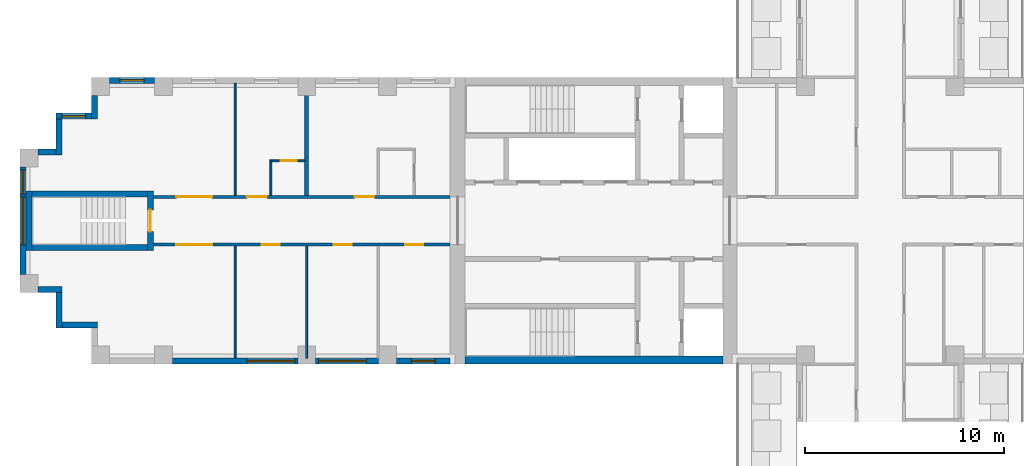
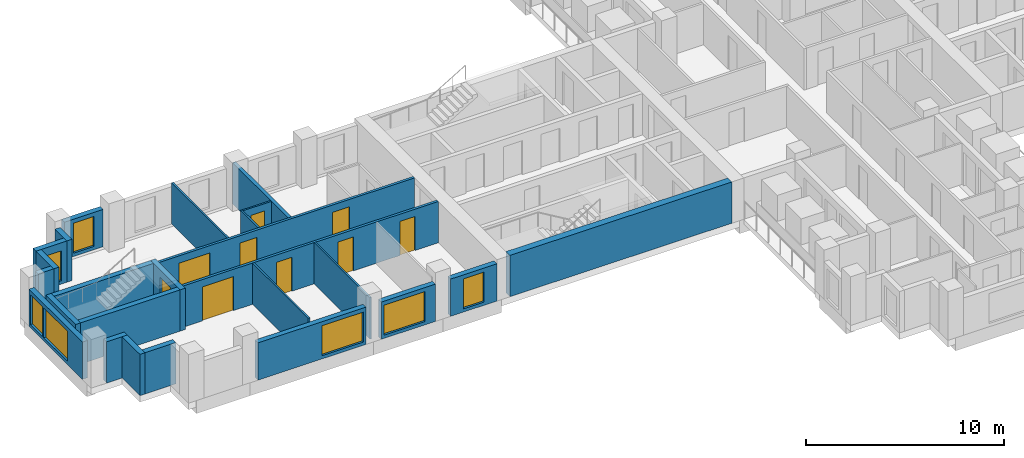
# One storey, part 2 of 10: 25 walls, 9 doors, 7 windows, 16 openings.
"""IFC4 building model written with IfcOpenShell, lengths in metres."""

from ifc_helpers import new_model, si_unit, direction, frame, frame_2d, origin, place, context, subcontext, project, spatial, rectangle, extrude, material, layer, layer_set, type_object, element, fill, save


model = new_model("IFC4")

# Units and contexts
model_context = context("Model", 3, precision=1e-05, world=origin(), true_north=direction((0.0, 1.0)))
body_context = subcontext(model_context, "Body", "Model", "MODEL_VIEW")
ifc_project = project(units=[si_unit("LENGTHUNIT", "METRE"), si_unit("AREAUNIT", "SQUARE_METRE"), si_unit("VOLUMEUNIT", "CUBIC_METRE"), si_unit("PLANEANGLEUNIT", "RADIAN"), si_unit("MASSUNIT", "GRAM", prefix="KILO")], contexts=[model_context])

# Site, building, storey
site_placement = place(None, origin())
site = spatial("IfcSite", under=ifc_project, at=site_placement, CompositionType="ELEMENT")
building_placement = place(site_placement, origin())
building = spatial("IfcBuilding", under=site, at=building_placement, Name="Fustian Cross Tower", CompositionType="ELEMENT")
storey_placement = place(building_placement, frame((0.0, 0.0, 191.699951171875)))
storey = spatial("IfcBuildingStorey", under=building, at=storey_placement, Name="L60", CompositionType="ELEMENT", Elevation=191.699951171875)

# Wall, openings, doors
ifc_material_1 = material(Name="Plasterboard on steel stud", Category="steel")
ifc_layer_1 = layer(ifc_material_1, 0.14990234375)
ifc_layer_set_1 = layer_set([ifc_layer_1], Name="Plasterboard on steel stud")
wall_type_1 = type_object("IfcWallType", Name="COMPARTMENT WALL 150 EI 60", PredefinedType="PARTITIONING", material=ifc_layer_set_1)
wall_1_placement = place(storey_placement, frame((-36.5, -1.199951171875, 0.0), z_axis=(0.0, 0.0, 1.0), x_axis=(1.0, 0.0, 0.0)))
wall_1 = element("IfcWall", 1, at=wall_1_placement, inside=storey, type_object=wall_type_1, Name="Partition 1", PredefinedType="PARTITIONING", context=body_context, shape_type="SweptSolid", body=[
    extrude(rectangle(XDim=14.89990234375, YDim=0.14990234375, at=frame_2d((7.449951171875, 0.0))), origin(), (0.0, 0.0, 1.0), 2.550048828125),
])
opening_1_placement = place(wall_1_placement, frame((12.64990234375, 0.0, 0.0)))
opening_1 = element("IfcOpeningElement", 2, at=opening_1_placement, cuts=wall_1, Name="Opening D27023", PredefinedType="OPENING", context=body_context, shape_type="SweptSolid", body=[
    extrude(rectangle(XDim=0.89990234375, YDim=2.10009765625, at=frame_2d((0.449951171875, 1.050048828125))), frame((0.0, 0.0849609375, 0.0), z_axis=(0.0, -1.0, 0.0), x_axis=(1.0, 0.0, 0.0)), (0.0, 0.0, 1.0), 0.169921875),
])
opening_2_placement = place(wall_1_placement, frame((9.050048828125, 0.0, 0.0)))
opening_2 = element("IfcOpeningElement", 3, at=opening_2_placement, cuts=wall_1, Name="Opening D27024", PredefinedType="OPENING", context=body_context, shape_type="SweptSolid", body=[
    extrude(rectangle(XDim=0.89990234375, YDim=2.10009765625, at=frame_2d((0.449951171875, 1.050048828125))), frame((0.0, 0.0849609375, 0.0), z_axis=(0.0, -1.0, 0.0), x_axis=(1.0, 0.0, 0.0)), (0.0, 0.0, 1.0), 0.169921875),
])
opening_3_placement = place(wall_1_placement, frame((5.449951171875, 0.0, 0.0)))
opening_3 = element("IfcOpeningElement", 4, at=opening_3_placement, cuts=wall_1, Name="Opening D27025", PredefinedType="OPENING", context=body_context, shape_type="SweptSolid", body=[
    extrude(rectangle(XDim=0.89990234375, YDim=2.10009765625, at=frame_2d((0.449951171875, 1.050048828125))), frame((0.0, 0.0849609375, 0.0), z_axis=(0.0, -1.0, 0.0), x_axis=(1.0, 0.0, 0.0)), (0.0, 0.0, 1.0), 0.169921875),
])
opening_4_placement = place(wall_1_placement, frame((1.14990234375, 0.0, 0.0)))
opening_4 = element("IfcOpeningElement", 5, at=opening_4_placement, cuts=wall_1, Name="Opening D27026", PredefinedType="OPENING", context=body_context, shape_type="SweptSolid", body=[
    extrude(rectangle(XDim=1.800048828125, YDim=2.10009765625, at=frame_2d((0.89990234375, 1.050048828125))), frame((0.0, 0.0849609375, 0.0), z_axis=(0.0, -1.0, 0.0), x_axis=(1.0, 0.0, 0.0)), (0.0, 0.0, 1.0), 0.169921875),
])
ifc_material_2 = material(Name="Timber fire door set", Category="wood")
door_type_1 = type_object("IfcDoorType", Name="FIRE DOUBLE DOOR 1800 FD30S", OperationType="DOUBLE_DOOR_DOUBLE_SWING", PredefinedType="DOOR", material=ifc_material_2)
door_1_placement = place(opening_4_placement, origin())
door_1 = element("IfcDoor", 6, at=door_1_placement, inside=storey, type_object=door_type_1, Name="Door D27026", OperationType="DOUBLE_DOOR_DOUBLE_SWING", OverallHeight=2.10009765625, OverallWidth=1.800048828125, PredefinedType="DOOR", context=body_context, shape_type="SweptSolid", body=[
    extrude(rectangle(XDim=1.800048828125, YDim=2.10009765625, at=frame_2d((0.89990234375, 1.050048828125))), frame((0.0, 0.02490234375, 0.0), z_axis=(0.0, -1.0, 0.0), x_axis=(1.0, 0.0, 0.0)), (0.0, 0.0, 1.0), 0.050048828125),
])
fill(opening_4, door_1)
ifc_material_3 = material(Name="Timber fire door set", Category="wood")
door_type_2 = type_object("IfcDoorType", Name="FIRE SWING DOOR 900 FD30S", OperationType="SINGLE_SWING_LEFT", PredefinedType="DOOR", material=ifc_material_3)
door_2_placement = place(opening_1_placement, frame((0.89990234375, 0.0, 0.0), z_axis=(0.0, 0.0, 1.0), x_axis=(-1.0, 0.0, 0.0)))
door_2 = element("IfcDoor", 7, at=door_2_placement, inside=storey, type_object=door_type_2, Name="Door D27023", OperationType="SINGLE_SWING_RIGHT", OverallHeight=2.10009765625, OverallWidth=0.89990234375, PredefinedType="DOOR", context=body_context, shape_type="SweptSolid", body=[
    extrude(rectangle(XDim=0.89990234375, YDim=2.10009765625, at=frame_2d((0.449951171875, 1.050048828125))), frame((0.0, 0.02490234375, 0.0), z_axis=(0.0, -1.0, 0.0), x_axis=(1.0, 0.0, 0.0)), (0.0, 0.0, 1.0), 0.050048828125),
])
fill(opening_1, door_2)
door_3_placement = place(opening_2_placement, frame((0.89990234375, 0.0, 0.0), z_axis=(0.0, 0.0, 1.0), x_axis=(-1.0, 0.0, 0.0)))
door_3 = element("IfcDoor", 8, at=door_3_placement, inside=storey, type_object=door_type_2, Name="Door D27024", OperationType="SINGLE_SWING_RIGHT", OverallHeight=2.10009765625, OverallWidth=0.89990234375, PredefinedType="DOOR", context=body_context, shape_type="SweptSolid", body=[
    extrude(rectangle(XDim=0.89990234375, YDim=2.10009765625, at=frame_2d((0.449951171875, 1.050048828125))), frame((0.0, 0.02490234375, 0.0), z_axis=(0.0, -1.0, 0.0), x_axis=(1.0, 0.0, 0.0)), (0.0, 0.0, 1.0), 0.050048828125),
])
fill(opening_2, door_3)
door_4_placement = place(opening_3_placement, frame((0.89990234375, 0.0, 0.0), z_axis=(0.0, 0.0, 1.0), x_axis=(-1.0, 0.0, 0.0)))
door_4 = element("IfcDoor", 9, at=door_4_placement, inside=storey, type_object=door_type_2, Name="Door D27025", OperationType="SINGLE_SWING_RIGHT", OverallHeight=2.10009765625, OverallWidth=0.89990234375, PredefinedType="DOOR", context=body_context, shape_type="SweptSolid", body=[
    extrude(rectangle(XDim=0.89990234375, YDim=2.10009765625, at=frame_2d((0.449951171875, 1.050048828125))), frame((0.0, 0.02490234375, 0.0), z_axis=(0.0, -1.0, 0.0), x_axis=(1.0, 0.0, 0.0)), (0.0, 0.0, 1.0), 0.050048828125),
])
fill(opening_3, door_4)

wall_2_placement = place(storey_placement, frame((-36.5, 1.199951171875, 0.0), z_axis=(0.0, 0.0, 1.0), x_axis=(1.0, 0.0, 0.0)))
wall_2 = element("IfcWall", 10, at=wall_2_placement, inside=storey, type_object=wall_type_1, Name="Partition 2", PredefinedType="PARTITIONING", context=body_context, shape_type="SweptSolid", body=[
    extrude(rectangle(XDim=14.89990234375, YDim=0.14990234375, at=frame_2d((7.449951171875, 0.0))), origin(), (0.0, 0.0, 1.0), 2.550048828125),
])
opening_5_placement = place(wall_2_placement, frame((10.10009765625, 0.0, 0.0)))
opening_5 = element("IfcOpeningElement", 11, at=opening_5_placement, cuts=wall_2, Name="Opening D27028", PredefinedType="OPENING", context=body_context, shape_type="SweptSolid", body=[
    extrude(rectangle(XDim=1.0, YDim=2.10009765625, at=frame_2d((0.5, 1.050048828125))), frame((0.0, 0.0849609375, 0.0), z_axis=(0.0, -1.0, 0.0), x_axis=(1.0, 0.0, 0.0)), (0.0, 0.0, 1.0), 0.169921875),
])
opening_6_placement = place(wall_2_placement, frame((4.699951171875, 0.0, 0.0)))
opening_6 = element("IfcOpeningElement", 12, at=opening_6_placement, cuts=wall_2, Name="Opening D27030", PredefinedType="OPENING", context=body_context, shape_type="SweptSolid", body=[
    extrude(rectangle(XDim=1.0, YDim=2.10009765625, at=frame_2d((0.5, 1.050048828125))), frame((0.0, 0.0849609375, 0.0), z_axis=(0.0, -1.0, 0.0), x_axis=(1.0, 0.0, 0.0)), (0.0, 0.0, 1.0), 0.169921875),
])
opening_7_placement = place(wall_2_placement, frame((1.14990234375, 0.0, 0.0)))
opening_7 = element("IfcOpeningElement", 13, at=opening_7_placement, cuts=wall_2, Name="Opening D27031", PredefinedType="OPENING", context=body_context, shape_type="SweptSolid", body=[
    extrude(rectangle(XDim=1.800048828125, YDim=2.10009765625, at=frame_2d((0.89990234375, 1.050048828125))), frame((0.0, 0.0849609375, 0.0), z_axis=(0.0, -1.0, 0.0), x_axis=(1.0, 0.0, 0.0)), (0.0, 0.0, 1.0), 0.169921875),
])
door_5_placement = place(opening_7_placement, frame((1.800048828125, 0.0, 0.0), z_axis=(0.0, 0.0, 1.0), x_axis=(-1.0, 0.0, 0.0)))
door_5 = element("IfcDoor", 14, at=door_5_placement, inside=storey, type_object=door_type_1, Name="Door D27031", OperationType="DOUBLE_DOOR_DOUBLE_SWING", OverallHeight=2.10009765625, OverallWidth=1.800048828125, PredefinedType="DOOR", context=body_context, shape_type="SweptSolid", body=[
    extrude(rectangle(XDim=1.800048828125, YDim=2.10009765625, at=frame_2d((0.89990234375, 1.050048828125))), frame((0.0, 0.02490234375, 0.0), z_axis=(0.0, -1.0, 0.0), x_axis=(1.0, 0.0, 0.0)), (0.0, 0.0, 1.0), 0.050048828125),
])
fill(opening_7, door_5)
ifc_material_4 = material(Name="Timber fire door set", Category="wood")
door_type_3 = type_object("IfcDoorType", Name="FIRE SWING DOOR 1000 FD30S", OperationType="SINGLE_SWING_LEFT", PredefinedType="DOOR", material=ifc_material_4)
door_6_placement = place(opening_5_placement, origin())
door_6 = element("IfcDoor", 15, at=door_6_placement, inside=storey, type_object=door_type_3, Name="Door D27028", OperationType="SINGLE_SWING_RIGHT", OverallHeight=2.10009765625, OverallWidth=1.0, PredefinedType="DOOR", context=body_context, shape_type="SweptSolid", body=[
    extrude(rectangle(XDim=1.0, YDim=2.10009765625, at=frame_2d((0.5, 1.050048828125))), frame((0.0, 0.02490234375, 0.0), z_axis=(0.0, -1.0, 0.0), x_axis=(1.0, 0.0, 0.0)), (0.0, 0.0, 1.0), 0.050048828125),
])
fill(opening_5, door_6)
door_7_placement = place(opening_6_placement, origin())
door_7 = element("IfcDoor", 16, at=door_7_placement, inside=storey, type_object=door_type_3, Name="Door D27030", OperationType="SINGLE_SWING_RIGHT", OverallHeight=2.10009765625, OverallWidth=1.0, PredefinedType="DOOR", context=body_context, shape_type="SweptSolid", body=[
    extrude(rectangle(XDim=1.0, YDim=2.10009765625, at=frame_2d((0.5, 1.050048828125))), frame((0.0, 0.02490234375, 0.0), z_axis=(0.0, -1.0, 0.0), x_axis=(1.0, 0.0, 0.0)), (0.0, 0.0, 1.0), 0.050048828125),
])
fill(opening_6, door_7)

# Walls
ifc_material_5 = material(Name="Concrete C50/60", Category="concrete")
ifc_layer_2 = layer(ifc_material_5, 0.39990234375)
ifc_layer_set_2 = layer_set([ifc_layer_2], Name="Concrete C50/60")
wall_type_2 = type_object("IfcWallType", Name="CORE FACADE WALL 400 C50/60", PredefinedType="SHEAR", material=ifc_layer_set_2)
wall_3_placement = place(storey_placement, frame((-7.89990234375, -7.0, 0.0), z_axis=(0.0, 0.0, 1.0), x_axis=(-1.0, 0.0, 0.0)))
element("IfcWall", 17, at=wall_3_placement, inside=storey, type_object=wall_type_2, Name="Core facade wall", PredefinedType="SHEAR", context=body_context, shape_type="SweptSolid", body=[
    extrude(rectangle(XDim=12.9501953125, YDim=0.39990234375, at=frame_2d((6.47509765625, 0.0))), origin(), (0.0, 0.0, 1.0), 2.550048828125),
])
ifc_material_6 = material(Name="Plasterboard on steel stud", Category="steel")
ifc_layer_3 = layer(ifc_material_6, 0.10009765625)
ifc_layer_set_3 = layer_set([ifc_layer_3], Name="Plasterboard on steel stud")
wall_type_3 = type_object("IfcWallType", Name="PARTITION 100 STUD", PredefinedType="PARTITIONING", material=ifc_layer_set_3)
for number, where, z_axis, x_axis, name in (
    (18, (-32.39990234375, -6.89990234375, 0.0), (0.0, 0.0, 1.0), (0.0, 1.0, 0.0), "Partition 3"),
    (19, (-32.39990234375, 1.27490234375, 0.0), (0.0, 0.0, 1.0), (0.0, 1.0, 0.0), "Partition 4"),
):
    element("IfcWall", number, at=place(storey_placement, frame(where, z_axis=z_axis, x_axis=x_axis)), inside=storey, type_object=wall_type_3, Name=name, PredefinedType="PARTITIONING", context=body_context, shape_type="SweptSolid", body=[
        extrude(rectangle(XDim=5.625, YDim=0.10009765625, at=frame_2d((2.8125, 0.0))), origin(), (0.0, 0.0, 1.0), 2.550048828125),
    ])
wall_4_placement = place(storey_placement, frame((-30.60009765625, 1.27490234375, 0.0), z_axis=(0.0, 0.0, 1.0), x_axis=(0.0, 1.0, 0.0)))
element("IfcWall", 20, at=wall_4_placement, inside=storey, type_object=wall_type_3, Name="Partition 5", PredefinedType="PARTITIONING", context=body_context, shape_type="SweptSolid", body=[
    extrude(rectangle(XDim=1.775146484375, YDim=0.10009765625, at=frame_2d((0.8876953125, 0.0))), origin(), (0.0, 0.0, 1.0), 2.550048828125),
])

# Wall, opening, door
wall_5_placement = place(storey_placement, frame((-30.550048828125, 3.0, 0.0), z_axis=(0.0, 0.0, 1.0), x_axis=(1.0, 0.0, 0.0)))
wall_5 = element("IfcWall", 21, at=wall_5_placement, inside=storey, type_object=wall_type_3, Name="Partition 6", PredefinedType="PARTITIONING", context=body_context, shape_type="SweptSolid", body=[
    extrude(rectangle(XDim=1.650146484375, YDim=0.10009765625, at=frame_2d((0.8251953125, 0.0))), origin(), (0.0, 0.0, 1.0), 2.550048828125),
])
opening_8_placement = place(wall_5_placement, frame((0.449951171875, 0.0, 0.0)))
opening_8 = element("IfcOpeningElement", 22, at=opening_8_placement, cuts=wall_5, Name="Opening D27029", PredefinedType="OPENING", context=body_context, shape_type="SweptSolid", body=[
    extrude(rectangle(XDim=0.800048828125, YDim=2.10009765625, at=frame_2d((0.39990234375, 1.050048828125))), frame((0.0, 0.06005859375, 0.0), z_axis=(0.0, -1.0, 0.0), x_axis=(1.0, 0.0, 0.0)), (0.0, 0.0, 1.0), 0.1201171875),
])
ifc_material_7 = material(Name="Painted timber", Category="wood")
door_type_4 = type_object("IfcDoorType", Name="SWING DOOR 800", OperationType="SINGLE_SWING_LEFT", PredefinedType="DOOR", material=ifc_material_7)
door_8_placement = place(opening_8_placement, frame((0.800048828125, 0.0, 0.0), z_axis=(0.0, 0.0, 1.0), x_axis=(-1.0, 0.0, 0.0)))
door_8 = element("IfcDoor", 23, at=door_8_placement, inside=storey, type_object=door_type_4, Name="Door D27029", OperationType="SINGLE_SWING_LEFT", OverallHeight=2.10009765625, OverallWidth=0.800048828125, PredefinedType="DOOR", context=body_context, shape_type="SweptSolid", body=[
    extrude(rectangle(XDim=0.800048828125, YDim=2.10009765625, at=frame_2d((0.39990234375, 1.050048828125))), frame((0.0, 0.02490234375, 0.0), z_axis=(0.0, -1.0, 0.0), x_axis=(1.0, 0.0, 0.0)), (0.0, 0.0, 1.0), 0.050048828125),
])
fill(opening_8, door_8)

# Walls
wall_6_placement = place(storey_placement, frame((-28.800048828125, -6.89990234375, 0.0), z_axis=(0.0, 0.0, 1.0), x_axis=(0.0, 1.0, 0.0)))
element("IfcWall", 24, at=wall_6_placement, inside=storey, type_object=wall_type_3, Name="Partition 7", PredefinedType="PARTITIONING", context=body_context, shape_type="SweptSolid", body=[
    extrude(rectangle(XDim=5.625, YDim=0.10009765625, at=frame_2d((2.8125, 0.0))), origin(), (0.0, 0.0, 1.0), 2.550048828125),
])
ifc_material_8 = material(Name="Plasterboard on steel stud", Category="steel")
ifc_layer_4 = layer(ifc_material_8, 0.199951171875)
ifc_layer_set_4 = layer_set([ifc_layer_4], Name="Plasterboard on steel stud")
wall_type_4 = type_object("IfcWallType", Name="PARTY WALL 200 EI 60", PredefinedType="PARTITIONING", material=ifc_layer_set_4)
wall_7_placement = place(storey_placement, frame((-28.800048828125, 1.27490234375, 0.0), z_axis=(0.0, 0.0, 1.0), x_axis=(0.0, 1.0, 0.0)))
element("IfcWall", 25, at=wall_7_placement, inside=storey, type_object=wall_type_4, Name="Partition 8", PredefinedType="PARTITIONING", context=body_context, shape_type="SweptSolid", body=[
    extrude(rectangle(XDim=5.625, YDim=0.199951171875, at=frame_2d((2.8125, 0.0))), origin(), (0.0, 0.0, 1.0), 2.550048828125),
])

# Wall, opening, door
ifc_material_9 = material(Name="Concrete C50/60", Category="concrete")
ifc_layer_5 = layer(ifc_material_9, 0.300048828125)
ifc_layer_set_5 = layer_set([ifc_layer_5], Name="Concrete C50/60")
wall_type_5 = type_object("IfcWallType", Name="STAIR ENCLOSURE WALL 300 C50/60", PredefinedType="SHEAR", material=ifc_layer_set_5)
wall_8_placement = place(storey_placement, frame((-36.64990234375, -1.5, 0.0), z_axis=(0.0, 0.0, 1.0), x_axis=(0.0, 1.0, 0.0)))
wall_8 = element("IfcWall", 26, at=wall_8_placement, inside=storey, type_object=wall_type_5, Name="Stair enclosure wall", PredefinedType="SHEAR", context=body_context, shape_type="SweptSolid", body=[
    extrude(rectangle(XDim=3.0, YDim=0.300048828125, at=frame_2d((1.5, 0.0))), origin(), (0.0, 0.0, 1.0), 2.550048828125),
])
opening_9_placement = place(wall_8_placement, frame((0.949951171875, 0.0, 0.0)))
opening_9 = element("IfcOpeningElement", 27, at=opening_9_placement, cuts=wall_8, Name="Opening CD-25-31", PredefinedType="OPENING", context=body_context, shape_type="SweptSolid", body=[
    extrude(rectangle(XDim=1.10009765625, YDim=2.10009765625, at=frame_2d((0.550048828125, 1.050048828125))), frame((0.0, 0.159912109375, 0.0), z_axis=(0.0, -1.0, 0.0), x_axis=(1.0, 0.0, 0.0)), (0.0, 0.0, 1.0), 0.320068359375),
])
ifc_material_10 = material(Name="Steel", Category="steel")
door_type_5 = type_object("IfcDoorType", Name="FIRE DOOR FD60S 1100X2100", OperationType="SINGLE_SWING_LEFT", PredefinedType="DOOR", material=ifc_material_10)
door_9_placement = place(opening_9_placement, origin())
door_9 = element("IfcDoor", 28, at=door_9_placement, inside=storey, type_object=door_type_5, Name="Core door CD-25-31", OperationType="SINGLE_SWING_LEFT", OverallHeight=2.10009765625, OverallWidth=1.10009765625, PredefinedType="DOOR", context=body_context, shape_type="SweptSolid", body=[
    extrude(rectangle(XDim=1.10009765625, YDim=2.10009765625, at=frame_2d((0.550048828125, 1.050048828125))), frame((0.0, 0.02490234375, 0.0), z_axis=(0.0, -1.0, 0.0), x_axis=(1.0, 0.0, 0.0)), (0.0, 0.0, 1.0), 0.050048828125),
])
fill(opening_9, door_9)

# Walls
wall_9_placement = place(storey_placement, frame((-42.75, -1.5, 0.0), z_axis=(0.0, 0.0, 1.0), x_axis=(0.0, 1.0, 0.0)))
element("IfcWall", 29, at=wall_9_placement, inside=storey, type_object=wall_type_5, Name="Stair enclosure wall", PredefinedType="SHEAR", context=body_context, shape_type="SweptSolid", body=[
    extrude(rectangle(XDim=3.0, YDim=0.300048828125, at=frame_2d((1.5, 0.0))), origin(), (0.0, 0.0, 1.0), 2.550048828125),
])
for number, where, z_axis, x_axis, name in (
    (30, (-36.800048828125, -1.35009765625, 0.0), (0.0, 0.0, 1.0), (-1.0, 0.0, 0.0), "Stair enclosure wall"),
    (31, (-36.800048828125, 1.35009765625, 0.0), (0.0, 0.0, 1.0), (-1.0, 0.0, 0.0), "Stair enclosure wall"),
):
    element("IfcWall", number, at=place(storey_placement, frame(where, z_axis=z_axis, x_axis=x_axis)), inside=storey, type_object=wall_type_5, Name=name, PredefinedType="SHEAR", context=body_context, shape_type="SweptSolid", body=[
        extrude(rectangle(XDim=5.800048828125, YDim=0.300048828125, at=frame_2d((2.89990234375, 0.0))), origin(), (0.0, 0.0, 1.0), 2.550048828125),
    ])

# Wall, opening, window
ifc_material_11 = material(Name="Dark aluminium cladding on insulated backing wall", Category="aluminium")
ifc_layer_6 = layer(ifc_material_11, 0.300048828125)
ifc_layer_set_6 = layer_set([ifc_layer_6], Name="Dark aluminium cladding on insulated backing wall")
wall_type_6 = type_object("IfcWallType", Name="XW1 EXTERNAL WALL 300", PredefinedType="SOLIDWALL", material=ifc_layer_set_6)
wall_10_placement = place(storey_placement, frame((-36.449951171875, 7.050048828125, 0.0), z_axis=(0.0, 0.0, 1.0), x_axis=(-1.0, 0.0, 0.0)))
wall_10 = element("IfcWall", 32, at=wall_10_placement, inside=storey, type_object=wall_type_6, Name="External wall", PredefinedType="SOLIDWALL", context=body_context, shape_type="SweptSolid", body=[
    extrude(rectangle(XDim=2.25, YDim=0.300048828125, at=frame_2d((1.125, 0.0))), origin(), (0.0, 0.0, 1.0), 2.300048828125),
])
opening_10_placement = place(wall_10_placement, frame((0.52490234375, 0.0, 0.199951171875)))
opening_10 = element("IfcOpeningElement", 33, at=opening_10_placement, cuts=wall_10, Name="Opening WN3", PredefinedType="OPENING", context=body_context, shape_type="SweptSolid", body=[
    extrude(rectangle(XDim=1.199951171875, YDim=1.85009765625, at=frame_2d((0.60009765625, 0.925048828125))), frame((0.0, 0.159912109375, 0.0), z_axis=(0.0, -1.0, 0.0), x_axis=(1.0, 0.0, 0.0)), (0.0, 0.0, 1.0), 0.320068359375),
])
ifc_material_12 = material(Name="Dark anodised aluminium and double glazing", Category="aluminium")
window_type_1 = type_object("IfcWindowType", Name="WN3 WINDOW 1200X1850", PartitioningType="SINGLE_PANEL", PredefinedType="WINDOW", material=ifc_material_12)
window_1_placement = place(opening_10_placement, origin())
window_1 = element("IfcWindow", 34, at=window_1_placement, inside=storey, type_object=window_type_1, Name="Window", OverallHeight=1.85009765625, OverallWidth=1.199951171875, PartitioningType="SINGLE_PANEL", PredefinedType="WINDOW", context=body_context, shape_type="SweptSolid", body=[
    extrude(rectangle(XDim=1.199951171875, YDim=1.85009765625, at=frame_2d((0.60009765625, 0.925048828125))), frame((0.0, 0.030029296875, 0.0), z_axis=(0.0, -1.0, 0.0), x_axis=(1.0, 0.0, 0.0)), (0.0, 0.0, 1.0), 0.06005859375),
])
fill(opening_10, window_1)

# Wall
wall_11_placement = place(storey_placement, frame((-39.449951171875, 6.300048828125, 0.0), z_axis=(0.0, 0.0, 1.0), x_axis=(0.0, -1.0, 0.0)))
element("IfcWall", 35, at=wall_11_placement, inside=storey, type_object=wall_type_6, Name="External wall", PredefinedType="SOLIDWALL", context=body_context, shape_type="SweptSolid", body=[
    extrude(rectangle(XDim=1.199951171875, YDim=0.300048828125, at=frame_2d((0.60009765625, 0.0))), origin(), (0.0, 0.0, 1.0), 2.550048828125),
])

# Wall, opening, window
wall_12_placement = place(storey_placement, frame((-39.60009765625, 5.25, 0.0), z_axis=(0.0, 0.0, 1.0), x_axis=(-1.0, 0.0, 0.0)))
wall_12 = element("IfcWall", 36, at=wall_12_placement, inside=storey, type_object=wall_type_6, Name="External wall", PredefinedType="SOLIDWALL", context=body_context, shape_type="SweptSolid", body=[
    extrude(rectangle(XDim=1.7998046875, YDim=0.300048828125, at=frame_2d((0.89990234375, 0.0))), origin(), (0.0, 0.0, 1.0), 2.550048828125),
])
opening_11_placement = place(wall_12_placement, frame((0.300048828125, 0.0, 0.199951171875)))
opening_11 = element("IfcOpeningElement", 37, at=opening_11_placement, cuts=wall_12, Name="Opening WN3", PredefinedType="OPENING", context=body_context, shape_type="SweptSolid", body=[
    extrude(rectangle(XDim=1.199951171875, YDim=1.85009765625, at=frame_2d((0.60009765625, 0.925048828125))), frame((0.0, 0.159912109375, 0.0), z_axis=(0.0, -1.0, 0.0), x_axis=(1.0, 0.0, 0.0)), (0.0, 0.0, 1.0), 0.320068359375),
])
window_2_placement = place(opening_11_placement, origin())
window_2 = element("IfcWindow", 38, at=window_2_placement, inside=storey, type_object=window_type_1, Name="Window", OverallHeight=1.85009765625, OverallWidth=1.199951171875, PartitioningType="SINGLE_PANEL", PredefinedType="WINDOW", context=body_context, shape_type="SweptSolid", body=[
    extrude(rectangle(XDim=1.199951171875, YDim=1.85009765625, at=frame_2d((0.60009765625, 0.925048828125))), frame((0.0, 0.030029296875, 0.0), z_axis=(0.0, -1.0, 0.0), x_axis=(1.0, 0.0, 0.0)), (0.0, 0.0, 1.0), 0.06005859375),
])
fill(opening_11, window_2)

# Walls
wall_13_placement = place(storey_placement, frame((-41.25, 5.10009765625, 0.0), z_axis=(0.0, 0.0, 1.0), x_axis=(0.0, -1.0, 0.0)))
element("IfcWall", 39, at=wall_13_placement, inside=storey, type_object=wall_type_6, Name="External wall", PredefinedType="SOLIDWALL", context=body_context, shape_type="SweptSolid", body=[
    extrude(rectangle(XDim=1.800048828125, YDim=0.300048828125, at=frame_2d((0.89990234375, 0.0))), origin(), (0.0, 0.0, 1.0), 2.550048828125),
])
wall_14_placement = place(storey_placement, frame((-41.39990234375, 3.449951171875, 0.0), z_axis=(0.0, 0.0, 1.0), x_axis=(-1.0, 0.0, 0.0)))
element("IfcWall", 40, at=wall_14_placement, inside=storey, type_object=wall_type_6, Name="External wall", PredefinedType="SOLIDWALL", context=body_context, shape_type="SweptSolid", body=[
    extrude(rectangle(XDim=0.900146484375, YDim=0.300048828125, at=frame_2d((0.4501953125, 0.0))), origin(), (0.0, 0.0, 1.0), 2.550048828125),
])

# Wall, openings, windows
wall_15_placement = place(storey_placement, frame((-43.050048828125, 2.699951171875, 0.0), z_axis=(0.0, 0.0, 1.0), x_axis=(0.0, -1.0, 0.0)))
wall_15 = element("IfcWall", 41, at=wall_15_placement, inside=storey, type_object=wall_type_6, Name="External wall", PredefinedType="SOLIDWALL", context=body_context, shape_type="SweptSolid", body=[
    extrude(rectangle(XDim=5.39990234375, YDim=0.300048828125, at=frame_2d((2.699951171875, 0.0))), origin(), (0.0, 0.0, 1.0), 2.300048828125),
])
opening_12_placement = place(wall_15_placement, frame((1.5, 0.0, 0.199951171875)))
opening_12 = element("IfcOpeningElement", 42, at=opening_12_placement, cuts=wall_15, Name="Opening WN1", PredefinedType="OPENING", context=body_context, shape_type="SweptSolid", body=[
    extrude(rectangle(XDim=2.39990234375, YDim=1.85009765625, at=frame_2d((1.199951171875, 0.925048828125))), frame((0.0, 0.159912109375, 0.0), z_axis=(0.0, -1.0, 0.0), x_axis=(1.0, 0.0, 0.0)), (0.0, 0.0, 1.0), 0.320068359375),
])
opening_13_placement = place(wall_15_placement, frame((0.14990234375, 0.0, 0.199951171875)))
opening_13 = element("IfcOpeningElement", 43, at=opening_13_placement, cuts=wall_15, Name="Opening WN3", PredefinedType="OPENING", context=body_context, shape_type="SweptSolid", body=[
    extrude(rectangle(XDim=1.199951171875, YDim=1.85009765625, at=frame_2d((0.60009765625, 0.925048828125))), frame((0.0, 0.159912109375, 0.0), z_axis=(0.0, -1.0, 0.0), x_axis=(1.0, 0.0, 0.0)), (0.0, 0.0, 1.0), 0.320068359375),
])
ifc_material_13 = material(Name="Dark anodised aluminium and double glazing", Category="aluminium")
window_type_2 = type_object("IfcWindowType", Name="WN1 WINDOW 2400X1850", PartitioningType="SINGLE_PANEL", PredefinedType="WINDOW", material=ifc_material_13)
window_3_placement = place(opening_12_placement, origin())
window_3 = element("IfcWindow", 44, at=window_3_placement, inside=storey, type_object=window_type_2, Name="Window", OverallHeight=1.85009765625, OverallWidth=2.39990234375, PartitioningType="SINGLE_PANEL", PredefinedType="WINDOW", context=body_context, shape_type="SweptSolid", body=[
    extrude(rectangle(XDim=2.39990234375, YDim=1.85009765625, at=frame_2d((1.199951171875, 0.925048828125))), frame((0.0, 0.030029296875, 0.0), z_axis=(0.0, -1.0, 0.0), x_axis=(1.0, 0.0, 0.0)), (0.0, 0.0, 1.0), 0.06005859375),
])
fill(opening_12, window_3)
window_4_placement = place(opening_13_placement, origin())
window_4 = element("IfcWindow", 45, at=window_4_placement, inside=storey, type_object=window_type_1, Name="Window", OverallHeight=1.85009765625, OverallWidth=1.199951171875, PartitioningType="SINGLE_PANEL", PredefinedType="WINDOW", context=body_context, shape_type="SweptSolid", body=[
    extrude(rectangle(XDim=1.199951171875, YDim=1.85009765625, at=frame_2d((0.60009765625, 0.925048828125))), frame((0.0, 0.030029296875, 0.0), z_axis=(0.0, -1.0, 0.0), x_axis=(1.0, 0.0, 0.0)), (0.0, 0.0, 1.0), 0.06005859375),
])
fill(opening_13, window_4)

# Walls
wall_16_placement = place(storey_placement, frame((-42.300048828125, -3.449951171875, 0.0), z_axis=(0.0, 0.0, 1.0), x_axis=(1.0, 0.0, 0.0)))
element("IfcWall", 46, at=wall_16_placement, inside=storey, type_object=wall_type_6, Name="External wall", PredefinedType="SOLIDWALL", context=body_context, shape_type="SweptSolid", body=[
    extrude(rectangle(XDim=1.199951171875, YDim=0.300048828125, at=frame_2d((0.60009765625, 0.0))), origin(), (0.0, 0.0, 1.0), 2.550048828125),
])
wall_17_placement = place(storey_placement, frame((-41.25, -3.60009765625, 0.0), z_axis=(0.0, 0.0, 1.0), x_axis=(0.0, -1.0, 0.0)))
element("IfcWall", 47, at=wall_17_placement, inside=storey, type_object=wall_type_6, Name="External wall", PredefinedType="SOLIDWALL", context=body_context, shape_type="SweptSolid", body=[
    extrude(rectangle(XDim=1.7998046875, YDim=0.300048828125, at=frame_2d((0.89990234375, 0.0))), origin(), (0.0, 0.0, 1.0), 2.550048828125),
])
wall_18_placement = place(storey_placement, frame((-41.10009765625, -5.25, 0.0), z_axis=(0.0, 0.0, 1.0), x_axis=(1.0, 0.0, 0.0)))
element("IfcWall", 48, at=wall_18_placement, inside=storey, type_object=wall_type_6, Name="External wall", PredefinedType="SOLIDWALL", context=body_context, shape_type="SweptSolid", body=[
    extrude(rectangle(XDim=1.800048828125, YDim=0.300048828125, at=frame_2d((0.89990234375, 0.0))), origin(), (0.0, 0.0, 1.0), 2.550048828125),
])

# Wall, opening, window
wall_19_placement = place(storey_placement, frame((-35.550048828125, -7.050048828125, 0.0), z_axis=(0.0, 0.0, 1.0), x_axis=(1.0, 0.0, 0.0)))
wall_19 = element("IfcWall", 49, at=wall_19_placement, inside=storey, type_object=wall_type_6, Name="External wall", PredefinedType="SOLIDWALL", context=body_context, shape_type="SweptSolid", body=[
    extrude(rectangle(XDim=6.300048828125, YDim=0.300048828125, at=frame_2d((3.14990234375, 0.0))), origin(), (0.0, 0.0, 1.0), 2.300048828125),
])
opening_14_placement = place(wall_19_placement, frame((3.75, 0.0, 0.199951171875)))
opening_14 = element("IfcOpeningElement", 50, at=opening_14_placement, cuts=wall_19, Name="Opening WN1", PredefinedType="OPENING", context=body_context, shape_type="SweptSolid", body=[
    extrude(rectangle(XDim=2.39990234375, YDim=1.85009765625, at=frame_2d((1.199951171875, 0.925048828125))), frame((0.0, 0.159912109375, 0.0), z_axis=(0.0, -1.0, 0.0), x_axis=(1.0, 0.0, 0.0)), (0.0, 0.0, 1.0), 0.320068359375),
])
window_5_placement = place(opening_14_placement, origin())
window_5 = element("IfcWindow", 51, at=window_5_placement, inside=storey, type_object=window_type_2, Name="Window", OverallHeight=1.85009765625, OverallWidth=2.39990234375, PartitioningType="SINGLE_PANEL", PredefinedType="WINDOW", context=body_context, shape_type="SweptSolid", body=[
    extrude(rectangle(XDim=2.39990234375, YDim=1.85009765625, at=frame_2d((1.199951171875, 0.925048828125))), frame((0.0, 0.030029296875, 0.0), z_axis=(0.0, -1.0, 0.0), x_axis=(1.0, 0.0, 0.0)), (0.0, 0.0, 1.0), 0.06005859375),
])
fill(opening_14, window_5)

wall_20_placement = place(storey_placement, frame((-28.35009765625, -7.050048828125, 0.0), z_axis=(0.0, 0.0, 1.0), x_axis=(1.0, 0.0, 0.0)))
wall_20 = element("IfcWall", 52, at=wall_20_placement, inside=storey, type_object=wall_type_6, Name="External wall", PredefinedType="SOLIDWALL", context=body_context, shape_type="SweptSolid", body=[
    extrude(rectangle(XDim=3.150146484375, YDim=0.300048828125, at=frame_2d((1.5751953125, 0.0))), origin(), (0.0, 0.0, 1.0), 2.300048828125),
])
opening_15_placement = place(wall_20_placement, frame((0.14990234375, 0.0, 0.199951171875)))
opening_15 = element("IfcOpeningElement", 53, at=opening_15_placement, cuts=wall_20, Name="Opening WN1", PredefinedType="OPENING", context=body_context, shape_type="SweptSolid", body=[
    extrude(rectangle(XDim=2.39990234375, YDim=1.85009765625, at=frame_2d((1.199951171875, 0.925048828125))), frame((0.0, 0.159912109375, 0.0), z_axis=(0.0, -1.0, 0.0), x_axis=(1.0, 0.0, 0.0)), (0.0, 0.0, 1.0), 0.320068359375),
])
window_6_placement = place(opening_15_placement, origin())
window_6 = element("IfcWindow", 54, at=window_6_placement, inside=storey, type_object=window_type_2, Name="Window", OverallHeight=1.85009765625, OverallWidth=2.39990234375, PartitioningType="SINGLE_PANEL", PredefinedType="WINDOW", context=body_context, shape_type="SweptSolid", body=[
    extrude(rectangle(XDim=2.39990234375, YDim=1.85009765625, at=frame_2d((1.199951171875, 0.925048828125))), frame((0.0, 0.030029296875, 0.0), z_axis=(0.0, -1.0, 0.0), x_axis=(1.0, 0.0, 0.0)), (0.0, 0.0, 1.0), 0.06005859375),
])
fill(opening_15, window_6)

wall_21_placement = place(storey_placement, frame((-24.300048828125, -7.050048828125, 0.0), z_axis=(0.0, 0.0, 1.0), x_axis=(1.0, 0.0, 0.0)))
wall_21 = element("IfcWall", 55, at=wall_21_placement, inside=storey, type_object=wall_type_6, Name="External wall", PredefinedType="SOLIDWALL", context=body_context, shape_type="SweptSolid", body=[
    extrude(rectangle(XDim=2.699951171875, YDim=0.300048828125, at=frame_2d((1.35009765625, 0.0))), origin(), (0.0, 0.0, 1.0), 2.300048828125),
])
opening_16_placement = place(wall_21_placement, frame((0.75, 0.0, 0.199951171875)))
opening_16 = element("IfcOpeningElement", 56, at=opening_16_placement, cuts=wall_21, Name="Opening WN3", PredefinedType="OPENING", context=body_context, shape_type="SweptSolid", body=[
    extrude(rectangle(XDim=1.199951171875, YDim=1.85009765625, at=frame_2d((0.60009765625, 0.925048828125))), frame((0.0, 0.159912109375, 0.0), z_axis=(0.0, -1.0, 0.0), x_axis=(1.0, 0.0, 0.0)), (0.0, 0.0, 1.0), 0.320068359375),
])
window_7_placement = place(opening_16_placement, origin())
window_7 = element("IfcWindow", 57, at=window_7_placement, inside=storey, type_object=window_type_1, Name="Window", OverallHeight=1.85009765625, OverallWidth=1.199951171875, PartitioningType="SINGLE_PANEL", PredefinedType="WINDOW", context=body_context, shape_type="SweptSolid", body=[
    extrude(rectangle(XDim=1.199951171875, YDim=1.85009765625, at=frame_2d((0.60009765625, 0.925048828125))), frame((0.0, 0.030029296875, 0.0), z_axis=(0.0, -1.0, 0.0), x_axis=(1.0, 0.0, 0.0)), (0.0, 0.0, 1.0), 0.06005859375),
])
fill(opening_16, window_7)

save(model, "model.ifc")
